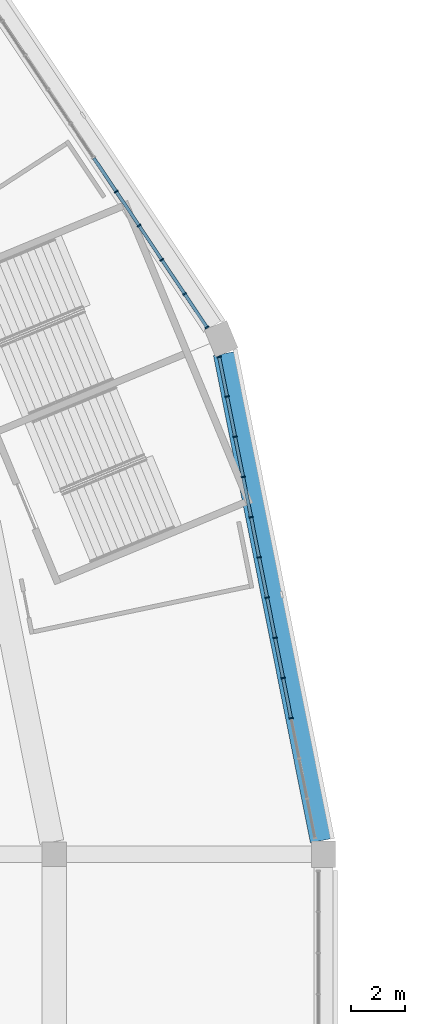
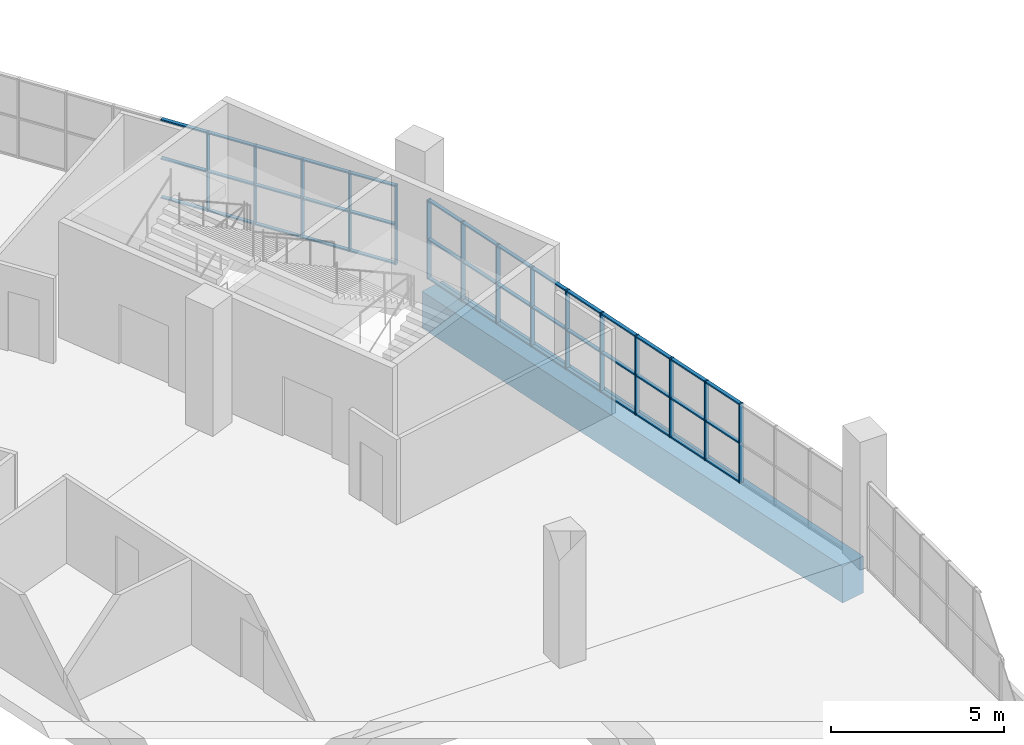
# One storey, part 53 of 199: 57 members, 1 beam, 2 elements without a shape of their own.
"""IFC4 building model written with IfcOpenShell, lengths in metres."""

from ifc_helpers import new_model, si_unit, direction, frame, origin, origin_2d, place, context, subcontext, project, spatial, rectangle, extrude, material, material_profile, profile_set, type_object, element, aggregate, save


model = new_model("IFC4")

# Units and contexts
model_context = context("Model", 3, precision=1e-05, world=origin(), true_north=direction((0.0, 1.0)))
body_context = subcontext(model_context, "Body", "Model", "MODEL_VIEW")
ifc_project = project(units=[si_unit("LENGTHUNIT", "METRE"), si_unit("AREAUNIT", "SQUARE_METRE"), si_unit("VOLUMEUNIT", "CUBIC_METRE"), si_unit("PLANEANGLEUNIT", "RADIAN"), si_unit("MASSUNIT", "GRAM", prefix="KILO")], contexts=[model_context])

# Site, building, storey
site_placement = place(None, origin())
site = spatial("IfcSite", under=ifc_project, at=site_placement, CompositionType="ELEMENT")
building_placement = place(site_placement, origin())
building = spatial("IfcBuilding", under=site, at=building_placement, Name="Ogive Plaza Stadium", CompositionType="ELEMENT")
storey_placement = place(building_placement, frame((0.0, 0.0, 4.5)))
storey = spatial("IfcBuildingStorey", under=building, at=storey_placement, Name="L01", CompositionType="ELEMENT", Elevation=4.5)

# Curtain wall, members
ifc_material_1 = material(Name="Bronze-anodised aluminium with laminated glass", Category="aluminium")
curtain_wall_type = type_object("IfcCurtainWallType", Name="Lancet curtain wall", PredefinedType="NOTDEFINED", material=ifc_material_1)
curtain_wall_1_placement = place(storey_placement, origin())
curtain_wall_1 = element("IfcCurtainWall", 1, at=curtain_wall_1_placement, inside=storey, type_object=curtain_wall_type, Name="CURTAIN WALL B39 L01", PredefinedType="NOTDEFINED")
ifc_material_2 = material(Name="Bronze-anodised aluminium", Category="aluminium")
ifc_material_profile_1 = material_profile(ifc_material_2, rectangle(XDim=0.14990234375, YDim=0.050048828125, at=origin_2d()), Name="AL 150x50")
ifc_profile_set_1 = profile_set([ifc_material_profile_1], Name="Bronze-anodised aluminium")
member_type_1 = type_object("IfcMemberType", Name="Curtain wall mullion 50x150", PredefinedType="MULLION", material=ifc_profile_set_1)
member_1_placement = place(storey_placement, frame((76.2998046875, 77.10205078125, 0.0), z_axis=(0.0, 0.0, 1.0), x_axis=(0.831469612303, 0.55557023302, 0.0)))
member_1 = element("IfcMember", 2, at=member_1_placement, type_object=member_type_1, Name="CW-B39-L01 mullion 9", PredefinedType="MULLION", context=body_context, shape_type="SweptSolid", body=[
    extrude(rectangle(XDim=0.14990234375, YDim=0.050048828125, at=origin_2d()), origin(), (0.0, 0.0, 1.0), 2.7900390625),
])
member_2_placement = place(storey_placement, frame((77.145751953125, 75.836181640625, 0.0), z_axis=(0.0, 0.0, 1.0), x_axis=(0.831469612303, 0.55557023302, 0.0)))
member_2 = element("IfcMember", 3, at=member_2_placement, type_object=member_type_1, Name="CW-B39-L01 mullion 10", PredefinedType="MULLION", context=body_context, shape_type="SweptSolid", body=[
    extrude(rectangle(XDim=0.14990234375, YDim=0.050048828125, at=origin_2d()), origin(), (0.0, 0.0, 1.0), 2.7900390625),
])
member_3_placement = place(storey_placement, frame((77.991455078125, 74.570556640625, 0.0), z_axis=(0.0, 0.0, 1.0), x_axis=(0.831469612303, 0.55557023302, 0.0)))
member_3 = element("IfcMember", 4, at=member_3_placement, type_object=member_type_1, Name="CW-B39-L01 mullion 11", PredefinedType="MULLION", context=body_context, shape_type="SweptSolid", body=[
    extrude(rectangle(XDim=0.14990234375, YDim=0.050048828125, at=origin_2d()), origin(), (0.0, 0.0, 1.0), 2.7900390625),
])
member_4_placement = place(storey_placement, frame((78.837158203125, 73.3046875, 0.0), z_axis=(0.0, 0.0, 1.0), x_axis=(0.831469612303, 0.55557023302, 0.0)))
member_4 = element("IfcMember", 5, at=member_4_placement, type_object=member_type_1, Name="CW-B39-L01 mullion 12", PredefinedType="MULLION", context=body_context, shape_type="SweptSolid", body=[
    extrude(rectangle(XDim=0.14990234375, YDim=0.050048828125, at=origin_2d()), origin(), (0.0, 0.0, 1.0), 2.7900390625),
])
member_5_placement = place(storey_placement, frame((79.669189453125, 72.059814453125, 0.0), z_axis=(0.0, 0.0, 1.0), x_axis=(0.831469612303, 0.55557023302, 0.0)))
member_5 = element("IfcMember", 6, at=member_5_placement, type_object=member_type_1, Name="CW-B39-L01 mullion 13", PredefinedType="MULLION", context=body_context, shape_type="SweptSolid", body=[
    extrude(rectangle(XDim=0.14990234375, YDim=0.050048828125, at=origin_2d()), origin(), (0.0, 0.0, 1.0), 2.7900390625),
])

curtain_wall_2_placement = place(storey_placement, origin())
curtain_wall_2 = element("IfcCurtainWall", 7, at=curtain_wall_2_placement, inside=storey, type_object=curtain_wall_type, Name="CURTAIN WALL B40 L01", PredefinedType="NOTDEFINED")
member_6_placement = place(storey_placement, frame((80.123779296875, 70.962158203125, 0.0), z_axis=(0.0, 0.0, 1.0), x_axis=(0.9807852804, 0.195090322033, 0.0)))
member_6 = element("IfcMember", 8, at=member_6_placement, type_object=member_type_1, Name="CW-B40-L01 mullion 1", PredefinedType="MULLION", context=body_context, shape_type="SweptSolid", body=[
    extrude(rectangle(XDim=0.14990234375, YDim=0.050048828125, at=origin_2d()), origin(), (0.0, 0.0, 1.0), 2.7900390625),
])
member_7_placement = place(storey_placement, frame((80.415771484375, 69.49365234375, 0.0), z_axis=(0.0, 0.0, 1.0), x_axis=(0.9807852804, 0.195090322033, 0.0)))
member_7 = element("IfcMember", 9, at=member_7_placement, type_object=member_type_1, Name="CW-B40-L01 mullion 2", PredefinedType="MULLION", context=body_context, shape_type="SweptSolid", body=[
    extrude(rectangle(XDim=0.14990234375, YDim=0.050048828125, at=origin_2d()), origin(), (0.0, 0.0, 1.0), 2.7900390625),
])
member_8_placement = place(storey_placement, frame((80.712890625, 68.00048828125, 0.0), z_axis=(0.0, 0.0, 1.0), x_axis=(0.9807852804, 0.195090322033, 0.0)))
member_8 = element("IfcMember", 10, at=member_8_placement, type_object=member_type_1, Name="CW-B40-L01 mullion 3", PredefinedType="MULLION", context=body_context, shape_type="SweptSolid", body=[
    extrude(rectangle(XDim=0.14990234375, YDim=0.050048828125, at=origin_2d()), origin(), (0.0, 0.0, 1.0), 2.7900390625),
])
member_9_placement = place(storey_placement, frame((81.009765625, 66.50732421875, 0.0), z_axis=(0.0, 0.0, 1.0), x_axis=(0.9807852804, 0.195090322033, 0.0)))
member_9 = element("IfcMember", 11, at=member_9_placement, type_object=member_type_1, Name="CW-B40-L01 mullion 4", PredefinedType="MULLION", context=body_context, shape_type="SweptSolid", body=[
    extrude(rectangle(XDim=0.14990234375, YDim=0.050048828125, at=origin_2d()), origin(), (0.0, 0.0, 1.0), 2.7900390625),
])
member_10_placement = place(storey_placement, frame((81.306884765625, 65.01416015625, 0.0), z_axis=(0.0, 0.0, 1.0), x_axis=(0.9807852804, 0.195090322033, 0.0)))
member_10 = element("IfcMember", 12, at=member_10_placement, type_object=member_type_1, Name="CW-B40-L01 mullion 5", PredefinedType="MULLION", context=body_context, shape_type="SweptSolid", body=[
    extrude(rectangle(XDim=0.14990234375, YDim=0.050048828125, at=origin_2d()), origin(), (0.0, 0.0, 1.0), 2.7900390625),
])
member_11_placement = place(storey_placement, frame((81.603759765625, 63.521240234375, 0.0), z_axis=(0.0, 0.0, 1.0), x_axis=(0.9807852804, 0.195090322033, 0.0)))
member_11 = element("IfcMember", 13, at=member_11_placement, type_object=member_type_1, Name="CW-B40-L01 mullion 6", PredefinedType="MULLION", context=body_context, shape_type="SweptSolid", body=[
    extrude(rectangle(XDim=0.14990234375, YDim=0.050048828125, at=origin_2d()), origin(), (0.0, 0.0, 1.0), 2.7900390625),
])
member_12_placement = place(storey_placement, frame((81.90087890625, 62.028076171875, 0.0), z_axis=(0.0, 0.0, 1.0), x_axis=(0.9807852804, 0.195090322033, 0.0)))
member_12 = element("IfcMember", 14, at=member_12_placement, type_object=member_type_1, Name="CW-B40-L01 mullion 7", PredefinedType="MULLION", context=body_context, shape_type="SweptSolid", body=[
    extrude(rectangle(XDim=0.14990234375, YDim=0.050048828125, at=origin_2d()), origin(), (0.0, 0.0, 1.0), 2.7900390625),
])
member_13_placement = place(storey_placement, frame((82.19775390625, 60.534912109375, 0.0), z_axis=(0.0, 0.0, 1.0), x_axis=(0.9807852804, 0.195090322033, 0.0)))
member_13 = element("IfcMember", 15, at=member_13_placement, type_object=member_type_1, Name="CW-B40-L01 mullion 8", PredefinedType="MULLION", context=body_context, shape_type="SweptSolid", body=[
    extrude(rectangle(XDim=0.14990234375, YDim=0.050048828125, at=origin_2d()), origin(), (0.0, 0.0, 1.0), 2.7900390625),
])
member_14_placement = place(storey_placement, frame((82.494873046875, 59.0419921875, 0.0), z_axis=(0.0, 0.0, 1.0), x_axis=(0.9807852804, 0.195090322033, 0.0)))
member_14 = element("IfcMember", 16, at=member_14_placement, type_object=member_type_1, Name="CW-B40-L01 mullion 9", PredefinedType="MULLION", context=body_context, shape_type="SweptSolid", body=[
    extrude(rectangle(XDim=0.14990234375, YDim=0.050048828125, at=origin_2d()), origin(), (0.0, 0.0, 1.0), 2.7900390625),
])
member_15_placement = place(storey_placement, frame((82.791748046875, 57.548828125, 0.0), z_axis=(0.0, 0.0, 1.0), x_axis=(0.9807852804, 0.195090322033, 0.0)))
member_15 = element("IfcMember", 17, at=member_15_placement, type_object=member_type_1, Name="CW-B40-L01 mullion 10", PredefinedType="MULLION", context=body_context, shape_type="SweptSolid", body=[
    extrude(rectangle(XDim=0.14990234375, YDim=0.050048828125, at=origin_2d()), origin(), (0.0, 0.0, 1.0), 2.7900390625),
])

# Member
ifc_material_3 = material(Name="Bronze-anodised aluminium", Category="aluminium")
ifc_material_profile_2 = material_profile(ifc_material_3, rectangle(XDim=0.1201171875, YDim=0.050048828125, at=origin_2d()), Name="AL 120x50")
ifc_profile_set_2 = profile_set([ifc_material_profile_2], Name="Bronze-anodised aluminium")
member_type_2 = type_object("IfcMemberType", Name="Curtain wall transom 50x120", PredefinedType="USERDEFINED", material=ifc_profile_set_2)
member_16_placement = place(storey_placement, frame((75.468017578125, 78.34716796875, 0.02490234375), z_axis=(0.555579876157, -0.831463168883, 0.0), x_axis=(0.831463168883, 0.555579876157, 0.0)))
member_16 = element("IfcMember", 18, at=member_16_placement, type_object=member_type_2, Name="CW-B39-L01 transom 8.1", ObjectType="TRANSOM", PredefinedType="USERDEFINED", context=body_context, shape_type="SweptSolid", body=[
    extrude(rectangle(XDim=0.1201171875, YDim=0.050048828125, at=origin_2d()), origin(), (0.0, 0.0, 1.0), 1.47265625),
])

member_17_placement = place(storey_placement, frame((75.468017578125, 78.34716796875, 1.39501953125), z_axis=(0.555579876157, -0.831463168883, 0.0), x_axis=(0.831463168883, 0.555579876157, 0.0)))
member_17 = element("IfcMember", 19, at=member_17_placement, type_object=member_type_2, Name="CW-B39-L01 transom 8.2", ObjectType="TRANSOM", PredefinedType="USERDEFINED", context=body_context, shape_type="SweptSolid", body=[
    extrude(rectangle(XDim=0.1201171875, YDim=0.050048828125, at=origin_2d()), origin(), (0.0, 0.0, 1.0), 1.47265625),
])

member_18_placement = place(storey_placement, frame((75.468017578125, 78.34716796875, 2.764892578125), z_axis=(0.555579876157, -0.831463168883, 0.0), x_axis=(0.831463168883, 0.555579876157, 0.0)))
member_18 = element("IfcMember", 20, at=member_18_placement, type_object=member_type_2, Name="CW-B39-L01 transom 8.3", ObjectType="TRANSOM", PredefinedType="USERDEFINED", context=body_context, shape_type="SweptSolid", body=[
    extrude(rectangle(XDim=0.1201171875, YDim=0.050048828125, at=origin_2d()), origin(), (0.0, 0.0, 1.0), 1.47265625),
])

member_19_placement = place(storey_placement, frame((76.313720703125, 77.081298828125, 0.02490234375), z_axis=(0.555656472512, -0.831411982446, 0.0), x_axis=(0.831411982446, 0.555656472512, 0.0)))
member_19 = element("IfcMember", 21, at=member_19_placement, type_object=member_type_2, Name="CW-B39-L01 transom 9.1", ObjectType="TRANSOM", PredefinedType="USERDEFINED", context=body_context, shape_type="SweptSolid", body=[
    extrude(rectangle(XDim=0.1201171875, YDim=0.050048828125, at=origin_2d()), origin(), (0.0, 0.0, 1.0), 1.472412109375),
])

member_20_placement = place(storey_placement, frame((76.313720703125, 77.081298828125, 1.39501953125), z_axis=(0.555656472512, -0.831411982446, 0.0), x_axis=(0.831411982446, 0.555656472512, 0.0)))
member_20 = element("IfcMember", 22, at=member_20_placement, type_object=member_type_2, Name="CW-B39-L01 transom 9.2", ObjectType="TRANSOM", PredefinedType="USERDEFINED", context=body_context, shape_type="SweptSolid", body=[
    extrude(rectangle(XDim=0.1201171875, YDim=0.050048828125, at=origin_2d()), origin(), (0.0, 0.0, 1.0), 1.472412109375),
])

member_21_placement = place(storey_placement, frame((76.313720703125, 77.081298828125, 2.764892578125), z_axis=(0.555656472512, -0.831411982446, 0.0), x_axis=(0.831411982446, 0.555656472512, 0.0)))
member_21 = element("IfcMember", 23, at=member_21_placement, type_object=member_type_2, Name="CW-B39-L01 transom 9.3", ObjectType="TRANSOM", PredefinedType="USERDEFINED", context=body_context, shape_type="SweptSolid", body=[
    extrude(rectangle(XDim=0.1201171875, YDim=0.050048828125, at=origin_2d()), origin(), (0.0, 0.0, 1.0), 1.472412109375),
])

member_22_placement = place(storey_placement, frame((77.15966796875, 75.8154296875, 0.02490234375), z_axis=(0.555541835587, -0.831488586159, 0.0), x_axis=(0.831488586159, 0.555541835587, 0.0)))
member_22 = element("IfcMember", 24, at=member_22_placement, type_object=member_type_2, Name="CW-B39-L01 transom 10.1", ObjectType="TRANSOM", PredefinedType="USERDEFINED", context=body_context, shape_type="SweptSolid", body=[
    extrude(rectangle(XDim=0.1201171875, YDim=0.050048828125, at=origin_2d()), origin(), (0.0, 0.0, 1.0), 1.47216796875),
])

member_23_placement = place(storey_placement, frame((77.15966796875, 75.8154296875, 1.39501953125), z_axis=(0.555541835587, -0.831488586159, 0.0), x_axis=(0.831488586159, 0.555541835587, 0.0)))
member_23 = element("IfcMember", 25, at=member_23_placement, type_object=member_type_2, Name="CW-B39-L01 transom 10.2", ObjectType="TRANSOM", PredefinedType="USERDEFINED", context=body_context, shape_type="SweptSolid", body=[
    extrude(rectangle(XDim=0.1201171875, YDim=0.050048828125, at=origin_2d()), origin(), (0.0, 0.0, 1.0), 1.47216796875),
])

member_24_placement = place(storey_placement, frame((77.15966796875, 75.8154296875, 2.764892578125), z_axis=(0.555541835587, -0.831488586159, 0.0), x_axis=(0.831488586159, 0.555541835587, 0.0)))
member_24 = element("IfcMember", 26, at=member_24_placement, type_object=member_type_2, Name="CW-B39-L01 transom 10.3", ObjectType="TRANSOM", PredefinedType="USERDEFINED", context=body_context, shape_type="SweptSolid", body=[
    extrude(rectangle(XDim=0.1201171875, YDim=0.050048828125, at=origin_2d()), origin(), (0.0, 0.0, 1.0), 1.47216796875),
])

member_25_placement = place(storey_placement, frame((78.00537109375, 74.5498046875, 0.02490234375), z_axis=(0.555465240925, -0.83153975619, 0.0), x_axis=(0.83153975619, 0.555465240925, 0.0)))
member_25 = element("IfcMember", 27, at=member_25_placement, type_object=member_type_2, Name="CW-B39-L01 transom 11.1", ObjectType="TRANSOM", PredefinedType="USERDEFINED", context=body_context, shape_type="SweptSolid", body=[
    extrude(rectangle(XDim=0.1201171875, YDim=0.050048828125, at=origin_2d()), origin(), (0.0, 0.0, 1.0), 1.472412109375),
])

member_26_placement = place(storey_placement, frame((78.00537109375, 74.5498046875, 1.39501953125), z_axis=(0.555465240925, -0.83153975619, 0.0), x_axis=(0.83153975619, 0.555465240925, 0.0)))
member_26 = element("IfcMember", 28, at=member_26_placement, type_object=member_type_2, Name="CW-B39-L01 transom 11.2", ObjectType="TRANSOM", PredefinedType="USERDEFINED", context=body_context, shape_type="SweptSolid", body=[
    extrude(rectangle(XDim=0.1201171875, YDim=0.050048828125, at=origin_2d()), origin(), (0.0, 0.0, 1.0), 1.472412109375),
])

member_27_placement = place(storey_placement, frame((78.00537109375, 74.5498046875, 2.764892578125), z_axis=(0.555465240925, -0.83153975619, 0.0), x_axis=(0.83153975619, 0.555465240925, 0.0)))
member_27 = element("IfcMember", 29, at=member_27_placement, type_object=member_type_2, Name="CW-B39-L01 transom 11.3", ObjectType="TRANSOM", PredefinedType="USERDEFINED", context=body_context, shape_type="SweptSolid", body=[
    extrude(rectangle(XDim=0.1201171875, YDim=0.050048828125, at=origin_2d()), origin(), (0.0, 0.0, 1.0), 1.472412109375),
])

member_28_placement = place(storey_placement, frame((78.85107421875, 73.283935546875, 0.02490234375), z_axis=(0.555634077892, -0.831426948977, 0.0), x_axis=(0.831426948977, 0.555634077892, 0.0)))
member_28 = element("IfcMember", 30, at=member_28_placement, type_object=member_type_2, Name="CW-B39-L01 transom 12.1", ObjectType="TRANSOM", PredefinedType="USERDEFINED", context=body_context, shape_type="SweptSolid", body=[
    extrude(rectangle(XDim=0.1201171875, YDim=0.050048828125, at=origin_2d()), origin(), (0.0, 0.0, 1.0), 1.447265625),
])

member_29_placement = place(storey_placement, frame((78.85107421875, 73.283935546875, 1.39501953125), z_axis=(0.555634077892, -0.831426948977, 0.0), x_axis=(0.831426948977, 0.555634077892, 0.0)))
member_29 = element("IfcMember", 31, at=member_29_placement, type_object=member_type_2, Name="CW-B39-L01 transom 12.2", ObjectType="TRANSOM", PredefinedType="USERDEFINED", context=body_context, shape_type="SweptSolid", body=[
    extrude(rectangle(XDim=0.1201171875, YDim=0.050048828125, at=origin_2d()), origin(), (0.0, 0.0, 1.0), 1.447265625),
])

member_30_placement = place(storey_placement, frame((78.85107421875, 73.283935546875, 2.764892578125), z_axis=(0.555634077892, -0.831426948977, 0.0), x_axis=(0.831426948977, 0.555634077892, 0.0)))
member_30 = element("IfcMember", 32, at=member_30_placement, type_object=member_type_2, Name="CW-B39-L01 transom 12.3", ObjectType="TRANSOM", PredefinedType="USERDEFINED", context=body_context, shape_type="SweptSolid", body=[
    extrude(rectangle(XDim=0.1201171875, YDim=0.050048828125, at=origin_2d()), origin(), (0.0, 0.0, 1.0), 1.447265625),
])

aggregate(curtain_wall_1, [member_1, member_2, member_3, member_4, member_5, member_16, member_17, member_18, member_19, member_20, member_21, member_22, member_23, member_24, member_25, member_26, member_27, member_28, member_29, member_30])

member_31_placement = place(storey_placement, frame((80.128662109375, 70.9375, 0.02490234375), z_axis=(0.195012996379, -0.98080065826, 0.0), x_axis=(0.98080065826, 0.195012996379, 0.0)))
member_31 = element("IfcMember", 33, at=member_31_placement, type_object=member_type_2, Name="CW-B40-L01 transom 1.1", ObjectType="TRANSOM", PredefinedType="USERDEFINED", context=body_context, shape_type="SweptSolid", body=[
    extrude(rectangle(XDim=0.1201171875, YDim=0.050048828125, at=origin_2d()), origin(), (0.0, 0.0, 1.0), 1.447265625),
])

member_32_placement = place(storey_placement, frame((80.128662109375, 70.9375, 1.39501953125), z_axis=(0.195012996379, -0.98080065826, 0.0), x_axis=(0.98080065826, 0.195012996379, 0.0)))
member_32 = element("IfcMember", 34, at=member_32_placement, type_object=member_type_2, Name="CW-B40-L01 transom 1.2", ObjectType="TRANSOM", PredefinedType="USERDEFINED", context=body_context, shape_type="SweptSolid", body=[
    extrude(rectangle(XDim=0.1201171875, YDim=0.050048828125, at=origin_2d()), origin(), (0.0, 0.0, 1.0), 1.447265625),
])

member_33_placement = place(storey_placement, frame((80.128662109375, 70.9375, 2.764892578125), z_axis=(0.195012996379, -0.98080065826, 0.0), x_axis=(0.98080065826, 0.195012996379, 0.0)))
member_33 = element("IfcMember", 35, at=member_33_placement, type_object=member_type_2, Name="CW-B40-L01 transom 1.3", ObjectType="TRANSOM", PredefinedType="USERDEFINED", context=body_context, shape_type="SweptSolid", body=[
    extrude(rectangle(XDim=0.1201171875, YDim=0.050048828125, at=origin_2d()), origin(), (0.0, 0.0, 1.0), 1.447265625),
])

member_34_placement = place(storey_placement, frame((80.420654296875, 69.468994140625, 0.02490234375), z_axis=(0.195159440417, -0.980771529367, 0.0), x_axis=(0.980771529367, 0.195159440417, 0.0)))
member_34 = element("IfcMember", 36, at=member_34_placement, type_object=member_type_2, Name="CW-B40-L01 transom 2.1", ObjectType="TRANSOM", PredefinedType="USERDEFINED", context=body_context, shape_type="SweptSolid", body=[
    extrude(rectangle(XDim=0.1201171875, YDim=0.050048828125, at=origin_2d()), origin(), (0.0, 0.0, 1.0), 1.472412109375),
])

member_35_placement = place(storey_placement, frame((80.420654296875, 69.468994140625, 1.39501953125), z_axis=(0.195159440417, -0.980771529367, 0.0), x_axis=(0.980771529367, 0.195159440417, 0.0)))
member_35 = element("IfcMember", 37, at=member_35_placement, type_object=member_type_2, Name="CW-B40-L01 transom 2.2", ObjectType="TRANSOM", PredefinedType="USERDEFINED", context=body_context, shape_type="SweptSolid", body=[
    extrude(rectangle(XDim=0.1201171875, YDim=0.050048828125, at=origin_2d()), origin(), (0.0, 0.0, 1.0), 1.472412109375),
])

member_36_placement = place(storey_placement, frame((80.420654296875, 69.468994140625, 2.764892578125), z_axis=(0.195159440417, -0.980771529367, 0.0), x_axis=(0.980771529367, 0.195159440417, 0.0)))
member_36 = element("IfcMember", 38, at=member_36_placement, type_object=member_type_2, Name="CW-B40-L01 transom 2.3", ObjectType="TRANSOM", PredefinedType="USERDEFINED", context=body_context, shape_type="SweptSolid", body=[
    extrude(rectangle(XDim=0.1201171875, YDim=0.050048828125, at=origin_2d()), origin(), (0.0, 0.0, 1.0), 1.472412109375),
])

member_37_placement = place(storey_placement, frame((80.7177734375, 67.975830078125, 0.02490234375), z_axis=(0.19503165555, -0.980796948065, 0.0), x_axis=(0.980796948065, 0.19503165555, 0.0)))
member_37 = element("IfcMember", 39, at=member_37_placement, type_object=member_type_2, Name="CW-B40-L01 transom 3.1", ObjectType="TRANSOM", PredefinedType="USERDEFINED", context=body_context, shape_type="SweptSolid", body=[
    extrude(rectangle(XDim=0.1201171875, YDim=0.050048828125, at=origin_2d()), origin(), (0.0, 0.0, 1.0), 1.47216796875),
])

member_38_placement = place(storey_placement, frame((80.7177734375, 67.975830078125, 1.39501953125), z_axis=(0.19503165555, -0.980796948065, 0.0), x_axis=(0.980796948065, 0.19503165555, 0.0)))
member_38 = element("IfcMember", 40, at=member_38_placement, type_object=member_type_2, Name="CW-B40-L01 transom 3.2", ObjectType="TRANSOM", PredefinedType="USERDEFINED", context=body_context, shape_type="SweptSolid", body=[
    extrude(rectangle(XDim=0.1201171875, YDim=0.050048828125, at=origin_2d()), origin(), (0.0, 0.0, 1.0), 1.47216796875),
])

member_39_placement = place(storey_placement, frame((80.7177734375, 67.975830078125, 2.764892578125), z_axis=(0.19503165555, -0.980796948065, 0.0), x_axis=(0.980796948065, 0.19503165555, 0.0)))
member_39 = element("IfcMember", 41, at=member_39_placement, type_object=member_type_2, Name="CW-B40-L01 transom 3.3", ObjectType="TRANSOM", PredefinedType="USERDEFINED", context=body_context, shape_type="SweptSolid", body=[
    extrude(rectangle(XDim=0.1201171875, YDim=0.050048828125, at=origin_2d()), origin(), (0.0, 0.0, 1.0), 1.47216796875),
])

member_40_placement = place(storey_placement, frame((81.0146484375, 66.48291015625, 0.02490234375), z_axis=(0.195159440417, -0.980771529367, 0.0), x_axis=(0.980771529367, 0.195159440417, 0.0)))
member_40 = element("IfcMember", 42, at=member_40_placement, type_object=member_type_2, Name="CW-B40-L01 transom 4.1", ObjectType="TRANSOM", PredefinedType="USERDEFINED", context=body_context, shape_type="SweptSolid", body=[
    extrude(rectangle(XDim=0.1201171875, YDim=0.050048828125, at=origin_2d()), origin(), (0.0, 0.0, 1.0), 1.472412109375),
])

member_41_placement = place(storey_placement, frame((81.0146484375, 66.48291015625, 1.39501953125), z_axis=(0.195159440417, -0.980771529367, 0.0), x_axis=(0.980771529367, 0.195159440417, 0.0)))
member_41 = element("IfcMember", 43, at=member_41_placement, type_object=member_type_2, Name="CW-B40-L01 transom 4.2", ObjectType="TRANSOM", PredefinedType="USERDEFINED", context=body_context, shape_type="SweptSolid", body=[
    extrude(rectangle(XDim=0.1201171875, YDim=0.050048828125, at=origin_2d()), origin(), (0.0, 0.0, 1.0), 1.472412109375),
])

member_42_placement = place(storey_placement, frame((81.0146484375, 66.48291015625, 2.764892578125), z_axis=(0.195159440417, -0.980771529367, 0.0), x_axis=(0.980771529367, 0.195159440417, 0.0)))
member_42 = element("IfcMember", 44, at=member_42_placement, type_object=member_type_2, Name="CW-B40-L01 transom 4.3", ObjectType="TRANSOM", PredefinedType="USERDEFINED", context=body_context, shape_type="SweptSolid", body=[
    extrude(rectangle(XDim=0.1201171875, YDim=0.050048828125, at=origin_2d()), origin(), (0.0, 0.0, 1.0), 1.472412109375),
])

member_43_placement = place(storey_placement, frame((81.311767578125, 64.98974609375, 0.02490234375), z_axis=(0.194999937042, -0.980803254763, 0.0), x_axis=(0.980803254763, 0.194999937042, 0.0)))
member_43 = element("IfcMember", 45, at=member_43_placement, type_object=member_type_2, Name="CW-B40-L01 transom 5.1", ObjectType="TRANSOM", PredefinedType="USERDEFINED", context=body_context, shape_type="SweptSolid", body=[
    extrude(rectangle(XDim=0.1201171875, YDim=0.050048828125, at=origin_2d()), origin(), (0.0, 0.0, 1.0), 1.472412109375),
])

member_44_placement = place(storey_placement, frame((81.311767578125, 64.98974609375, 1.39501953125), z_axis=(0.194999937042, -0.980803254763, 0.0), x_axis=(0.980803254763, 0.194999937042, 0.0)))
member_44 = element("IfcMember", 46, at=member_44_placement, type_object=member_type_2, Name="CW-B40-L01 transom 5.2", ObjectType="TRANSOM", PredefinedType="USERDEFINED", context=body_context, shape_type="SweptSolid", body=[
    extrude(rectangle(XDim=0.1201171875, YDim=0.050048828125, at=origin_2d()), origin(), (0.0, 0.0, 1.0), 1.472412109375),
])

member_45_placement = place(storey_placement, frame((81.311767578125, 64.98974609375, 2.764892578125), z_axis=(0.194999937042, -0.980803254763, 0.0), x_axis=(0.980803254763, 0.194999937042, 0.0)))
member_45 = element("IfcMember", 47, at=member_45_placement, type_object=member_type_2, Name="CW-B40-L01 transom 5.3", ObjectType="TRANSOM", PredefinedType="USERDEFINED", context=body_context, shape_type="SweptSolid", body=[
    extrude(rectangle(XDim=0.1201171875, YDim=0.050048828125, at=origin_2d()), origin(), (0.0, 0.0, 1.0), 1.472412109375),
])

member_46_placement = place(storey_placement, frame((81.608642578125, 63.49658203125, 0.02490234375), z_axis=(0.195159440417, -0.980771529367, 0.0), x_axis=(0.980771529367, 0.195159440417, 0.0)))
member_46 = element("IfcMember", 48, at=member_46_placement, type_object=member_type_2, Name="CW-B40-L01 transom 6.1", ObjectType="TRANSOM", PredefinedType="USERDEFINED", context=body_context, shape_type="SweptSolid", body=[
    extrude(rectangle(XDim=0.1201171875, YDim=0.050048828125, at=origin_2d()), origin(), (0.0, 0.0, 1.0), 1.472412109375),
])

member_47_placement = place(storey_placement, frame((81.608642578125, 63.49658203125, 1.39501953125), z_axis=(0.195159440417, -0.980771529367, 0.0), x_axis=(0.980771529367, 0.195159440417, 0.0)))
member_47 = element("IfcMember", 49, at=member_47_placement, type_object=member_type_2, Name="CW-B40-L01 transom 6.2", ObjectType="TRANSOM", PredefinedType="USERDEFINED", context=body_context, shape_type="SweptSolid", body=[
    extrude(rectangle(XDim=0.1201171875, YDim=0.050048828125, at=origin_2d()), origin(), (0.0, 0.0, 1.0), 1.472412109375),
])

member_48_placement = place(storey_placement, frame((81.608642578125, 63.49658203125, 2.764892578125), z_axis=(0.195159440417, -0.980771529367, 0.0), x_axis=(0.980771529367, 0.195159440417, 0.0)))
member_48 = element("IfcMember", 50, at=member_48_placement, type_object=member_type_2, Name="CW-B40-L01 transom 6.3", ObjectType="TRANSOM", PredefinedType="USERDEFINED", context=body_context, shape_type="SweptSolid", body=[
    extrude(rectangle(XDim=0.1201171875, YDim=0.050048828125, at=origin_2d()), origin(), (0.0, 0.0, 1.0), 1.472412109375),
])

member_49_placement = place(storey_placement, frame((81.90576171875, 62.003662109375, 0.02490234375), z_axis=(0.194999937042, -0.980803254763, 0.0), x_axis=(0.980803254763, 0.194999937042, 0.0)))
member_49 = element("IfcMember", 51, at=member_49_placement, type_object=member_type_2, Name="CW-B40-L01 transom 7.1", ObjectType="TRANSOM", PredefinedType="USERDEFINED", context=body_context, shape_type="SweptSolid", body=[
    extrude(rectangle(XDim=0.1201171875, YDim=0.050048828125, at=origin_2d()), origin(), (0.0, 0.0, 1.0), 1.472412109375),
])

member_50_placement = place(storey_placement, frame((81.90576171875, 62.003662109375, 1.39501953125), z_axis=(0.194999937042, -0.980803254763, 0.0), x_axis=(0.980803254763, 0.194999937042, 0.0)))
member_50 = element("IfcMember", 52, at=member_50_placement, type_object=member_type_2, Name="CW-B40-L01 transom 7.2", ObjectType="TRANSOM", PredefinedType="USERDEFINED", context=body_context, shape_type="SweptSolid", body=[
    extrude(rectangle(XDim=0.1201171875, YDim=0.050048828125, at=origin_2d()), origin(), (0.0, 0.0, 1.0), 1.472412109375),
])

member_51_placement = place(storey_placement, frame((81.90576171875, 62.003662109375, 2.764892578125), z_axis=(0.194999937042, -0.980803254763, 0.0), x_axis=(0.980803254763, 0.194999937042, 0.0)))
member_51 = element("IfcMember", 53, at=member_51_placement, type_object=member_type_2, Name="CW-B40-L01 transom 7.3", ObjectType="TRANSOM", PredefinedType="USERDEFINED", context=body_context, shape_type="SweptSolid", body=[
    extrude(rectangle(XDim=0.1201171875, YDim=0.050048828125, at=origin_2d()), origin(), (0.0, 0.0, 1.0), 1.472412109375),
])

member_52_placement = place(storey_placement, frame((82.20263671875, 60.510498046875, 0.02490234375), z_axis=(0.195159440417, -0.980771529367, 0.0), x_axis=(0.980771529367, 0.195159440417, 0.0)))
member_52 = element("IfcMember", 54, at=member_52_placement, type_object=member_type_2, Name="CW-B40-L01 transom 8.1", ObjectType="TRANSOM", PredefinedType="USERDEFINED", context=body_context, shape_type="SweptSolid", body=[
    extrude(rectangle(XDim=0.1201171875, YDim=0.050048828125, at=origin_2d()), origin(), (0.0, 0.0, 1.0), 1.472412109375),
])

member_53_placement = place(storey_placement, frame((82.20263671875, 60.510498046875, 1.39501953125), z_axis=(0.195159440417, -0.980771529367, 0.0), x_axis=(0.980771529367, 0.195159440417, 0.0)))
member_53 = element("IfcMember", 55, at=member_53_placement, type_object=member_type_2, Name="CW-B40-L01 transom 8.2", ObjectType="TRANSOM", PredefinedType="USERDEFINED", context=body_context, shape_type="SweptSolid", body=[
    extrude(rectangle(XDim=0.1201171875, YDim=0.050048828125, at=origin_2d()), origin(), (0.0, 0.0, 1.0), 1.472412109375),
])

member_54_placement = place(storey_placement, frame((82.20263671875, 60.510498046875, 2.764892578125), z_axis=(0.195159440417, -0.980771529367, 0.0), x_axis=(0.980771529367, 0.195159440417, 0.0)))
member_54 = element("IfcMember", 56, at=member_54_placement, type_object=member_type_2, Name="CW-B40-L01 transom 8.3", ObjectType="TRANSOM", PredefinedType="USERDEFINED", context=body_context, shape_type="SweptSolid", body=[
    extrude(rectangle(XDim=0.1201171875, YDim=0.050048828125, at=origin_2d()), origin(), (0.0, 0.0, 1.0), 1.472412109375),
])

member_55_placement = place(storey_placement, frame((82.499755859375, 59.017333984375, 0.02490234375), z_axis=(0.194999937042, -0.980803254763, 0.0), x_axis=(0.980803254763, 0.194999937042, 0.0)))
member_55 = element("IfcMember", 57, at=member_55_placement, type_object=member_type_2, Name="CW-B40-L01 transom 9.1", ObjectType="TRANSOM", PredefinedType="USERDEFINED", context=body_context, shape_type="SweptSolid", body=[
    extrude(rectangle(XDim=0.1201171875, YDim=0.050048828125, at=origin_2d()), origin(), (0.0, 0.0, 1.0), 1.472412109375),
])

member_56_placement = place(storey_placement, frame((82.499755859375, 59.017333984375, 1.39501953125), z_axis=(0.194999937042, -0.980803254763, 0.0), x_axis=(0.980803254763, 0.194999937042, 0.0)))
member_56 = element("IfcMember", 58, at=member_56_placement, type_object=member_type_2, Name="CW-B40-L01 transom 9.2", ObjectType="TRANSOM", PredefinedType="USERDEFINED", context=body_context, shape_type="SweptSolid", body=[
    extrude(rectangle(XDim=0.1201171875, YDim=0.050048828125, at=origin_2d()), origin(), (0.0, 0.0, 1.0), 1.472412109375),
])

member_57_placement = place(storey_placement, frame((82.499755859375, 59.017333984375, 2.764892578125), z_axis=(0.194999937042, -0.980803254763, 0.0), x_axis=(0.980803254763, 0.194999937042, 0.0)))
member_57 = element("IfcMember", 59, at=member_57_placement, type_object=member_type_2, Name="CW-B40-L01 transom 9.3", ObjectType="TRANSOM", PredefinedType="USERDEFINED", context=body_context, shape_type="SweptSolid", body=[
    extrude(rectangle(XDim=0.1201171875, YDim=0.050048828125, at=origin_2d()), origin(), (0.0, 0.0, 1.0), 1.472412109375),
])

aggregate(curtain_wall_2, [member_6, member_7, member_8, member_9, member_10, member_11, member_12, member_13, member_14, member_15, member_31, member_32, member_33, member_34, member_35, member_36, member_37, member_38, member_39, member_40, member_41, member_42, member_43, member_44, member_45, member_46, member_47, member_48, member_49, member_50, member_51, member_52, member_53, member_54, member_55, member_56, member_57])

# Beam
ifc_material_4 = material(Name="Concrete C40/50", Category="concrete")
ifc_material_profile_3 = material_profile(ifc_material_4, rectangle(XDim=0.800048828125, YDim=1.300048828125, at=origin_2d()), Name="RC 800x1300")
ifc_profile_set_3 = profile_set([ifc_material_profile_3], Name="Concrete C40/50")
beam_type = type_object("IfcBeamType", Name="RC spandrel beam 800x1300", PredefinedType="SPANDREL", material=ifc_profile_set_3)
beam_placement = place(storey_placement, frame((80.303466796875, 71.084228515625, -1.06005859375), z_axis=(0.195089866178, -0.980785371075, 0.0), x_axis=(0.980785371075, 0.195089866178, 0.0)))
element("IfcBeam", 60, at=beam_placement, inside=storey, type_object=beam_type, Name="Ring beam F5 L01 B40", PredefinedType="SPANDREL", context=body_context, shape_type="SweptSolid", body=[
    extrude(rectangle(XDim=0.800048828125, YDim=1.300048828125, at=origin_2d()), origin(), (0.0, 0.0, 1.0), 18.4384765625),
])

save(model, "model.ifc")
